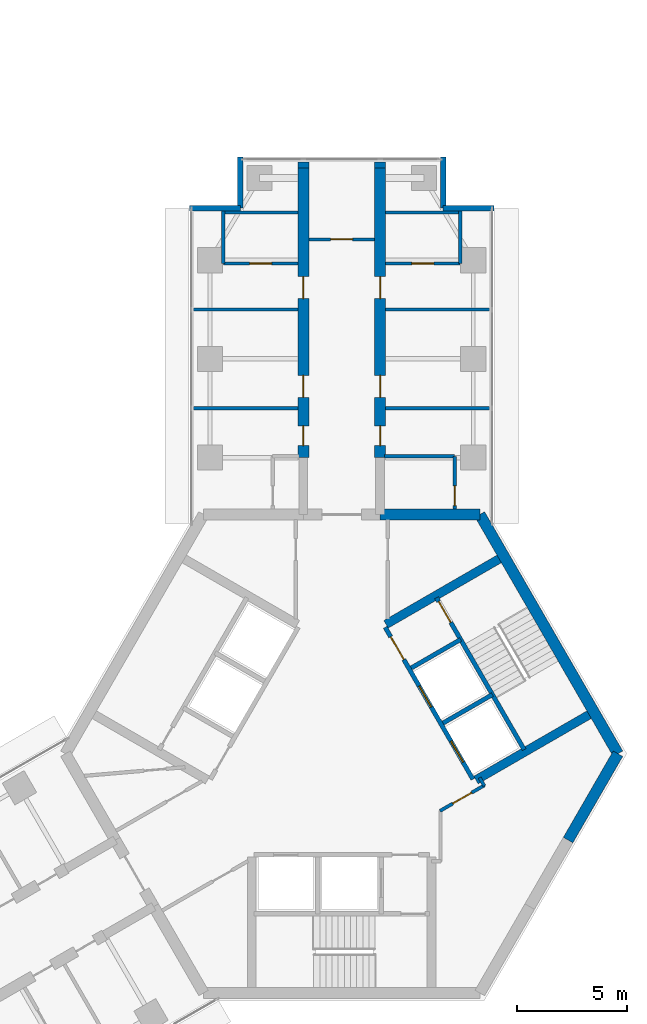
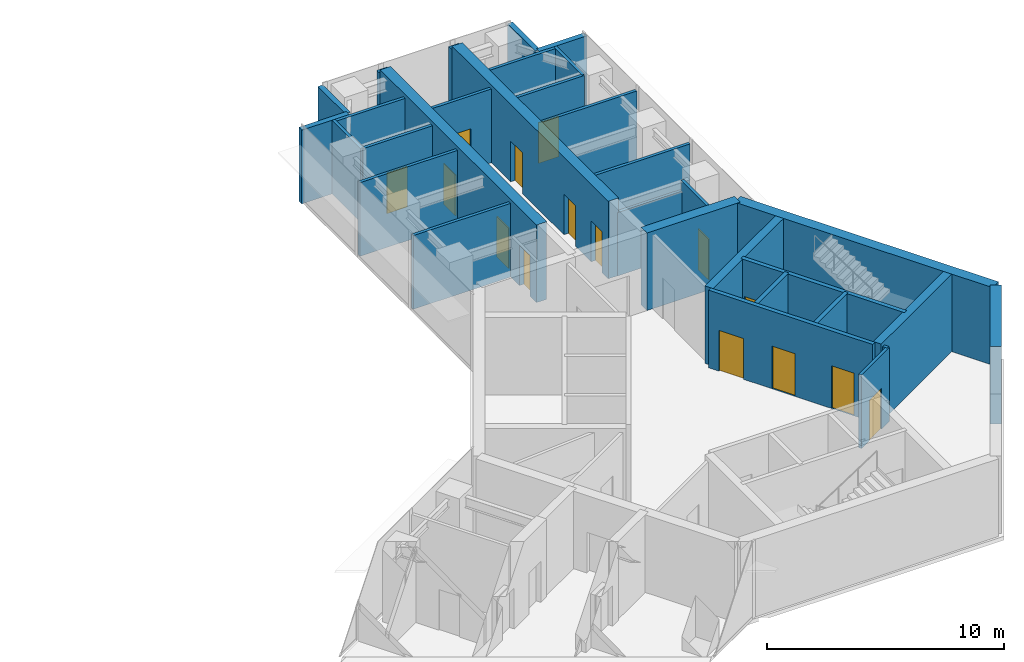
# One storey, part 15 of 17: 32 walls, 15 doors, 15 openings.
"""IFC4 building model written with IfcOpenShell, lengths in metres."""

from ifc_helpers import new_model, si_unit, direction, frame, frame_2d, origin, place, context, subcontext, project, spatial, rectangle, extrude, material, layer, layer_set, type_object, element, fill, save


model = new_model("IFC4")

# Units and contexts
model_context = context("Model", 3, precision=1e-05, world=origin(), true_north=direction((0.0, 1.0)))
body_context = subcontext(model_context, "Body", "Model", "MODEL_VIEW")
ifc_project = project(units=[si_unit("LENGTHUNIT", "METRE"), si_unit("AREAUNIT", "SQUARE_METRE"), si_unit("VOLUMEUNIT", "CUBIC_METRE"), si_unit("PLANEANGLEUNIT", "RADIAN"), si_unit("MASSUNIT", "GRAM", prefix="KILO")], contexts=[model_context])

# Site, building, storey
site_placement = place(None, origin())
site = spatial("IfcSite", under=ifc_project, at=site_placement, CompositionType="ELEMENT")
building_placement = place(site_placement, origin())
building = spatial("IfcBuilding", under=site, at=building_placement, Name="Upepo Twin Towers", CompositionType="ELEMENT")
storey_placement = place(building_placement, frame((0.0, 0.0, 214.5)))
storey = spatial("IfcBuildingStorey", under=building, at=storey_placement, Name="L52", CompositionType="ELEMENT", Elevation=214.5)

# Walls
ifc_material_1 = material(Name="Dense concrete blockwork", Category="masonry")
ifc_layer_1 = layer(ifc_material_1, 0.5)
ifc_layer_set_1 = layer_set([ifc_layer_1], Name="Buttress closer 500, blockwork with fire-stopping to the curtain wall")
wall_type_1 = type_object("IfcWallType", Name="Buttress closer 500, blockwork with fire-stopping to the curtain wall", PredefinedType="PARTITIONING", material=ifc_layer_set_1)
for number, where, z_axis, x_axis, name in (
    (1, (56.75, 8.699951171875, 0.0), (0.0, 0.0, 1.0), (0.0, 1.0, 0.0), "T2 L52 wing A buttress closer L"),
    (2, (60.25, 8.699951171875, 0.0), (0.0, 0.0, 1.0), (0.0, 1.0, 0.0), "T2 L52 wing A buttress closer R"),
):
    element("IfcWall", number, at=place(storey_placement, frame(where, z_axis=z_axis, x_axis=x_axis)), inside=storey, type_object=wall_type_1, Name=name, PredefinedType="PARTITIONING", context=body_context, shape_type="SweptSolid", body=[
        extrude(rectangle(XDim=0.28759765625, YDim=0.5, at=frame_2d((0.143798828125, 0.0))), origin(), (0.0, 0.0, 1.0), 3.800048828125),
    ])

# Wall, openings, doors
ifc_material_2 = material(Name="Concrete C60/75", Category="concrete")
ifc_layer_2 = layer(ifc_material_2, 0.5)
ifc_layer_set_2 = layer_set([ifc_layer_2], Name="Concrete C60/75")
wall_type_2 = type_object("IfcWallType", Name="Buttress wall 500 RC", PredefinedType="SHEAR", material=ifc_layer_set_2)
wall_1_placement = place(storey_placement, frame((56.75, -4.5, 0.0), z_axis=(0.0, 0.0, 1.0), x_axis=(0.0, 1.0, 0.0)))
wall_1 = element("IfcWall", 3, at=wall_1_placement, inside=storey, type_object=wall_type_2, Name="T2 wing A buttress wall L part 2", PredefinedType="SHEAR", context=body_context, shape_type="SweptSolid", body=[
    extrude(rectangle(XDim=13.199951171875, YDim=0.5, at=frame_2d((6.60009765625, 0.0))), origin(), (0.0, 0.0, 1.0), 4.0),
])
opening_1_placement = place(wall_1_placement, frame((0.550048828125, 0.0, 0.0)))
opening_1 = element("IfcOpeningElement", 4, at=opening_1_placement, cuts=wall_1, Name="Opening D11", PredefinedType="OPENING", context=body_context, shape_type="SweptSolid", body=[
    extrude(rectangle(XDim=0.89990234375, YDim=2.10009765625, at=frame_2d((0.449951171875, 1.050048828125))), frame((0.0, 0.260009765625, 0.0), z_axis=(0.0, -1.0, 0.0), x_axis=(1.0, 0.0, 0.0)), (0.0, 0.0, 1.0), 0.52001953125),
])
opening_2_placement = place(wall_1_placement, frame((2.75, 0.0, 0.0)))
opening_2 = element("IfcOpeningElement", 5, at=opening_2_placement, cuts=wall_1, Name="Opening D1", PredefinedType="OPENING", context=body_context, shape_type="SweptSolid", body=[
    extrude(rectangle(XDim=1.0, YDim=2.10009765625, at=frame_2d((0.5, 1.050048828125))), frame((0.0, 0.260009765625, 0.0), z_axis=(0.0, -1.0, 0.0), x_axis=(1.0, 0.0, 0.0)), (0.0, 0.0, 1.0), 0.52001953125),
])
opening_3_placement = place(wall_1_placement, frame((7.25, 0.0, 0.0)))
opening_3 = element("IfcOpeningElement", 6, at=opening_3_placement, cuts=wall_1, Name="Opening D1", PredefinedType="OPENING", context=body_context, shape_type="SweptSolid", body=[
    extrude(rectangle(XDim=1.0, YDim=2.10009765625, at=frame_2d((0.5, 1.050048828125))), frame((0.0, 0.260009765625, 0.0), z_axis=(0.0, -1.0, 0.0), x_axis=(1.0, 0.0, 0.0)), (0.0, 0.0, 1.0), 0.52001953125),
])
ifc_material_3 = material(Name="Timber doorset", Category="wood")
door_type_1 = type_object("IfcDoorType", Name="Room door 1000 FD30", OperationType="SINGLE_SWING_LEFT", PredefinedType="DOOR", material=ifc_material_3)
door_1_placement = place(opening_2_placement, origin())
door_1 = element("IfcDoor", 7, at=door_1_placement, inside=storey, type_object=door_type_1, Name="T2 L52 tutorial room door", OperationType="SINGLE_SWING_LEFT", OverallHeight=2.10009765625, OverallWidth=1.0, PredefinedType="DOOR", context=body_context, shape_type="SweptSolid", body=[
    extrude(rectangle(XDim=1.0, YDim=2.10009765625, at=frame_2d((0.5, 1.050048828125))), frame((0.0, 0.02490234375, 0.0), z_axis=(0.0, -1.0, 0.0), x_axis=(1.0, 0.0, 0.0)), (0.0, 0.0, 1.0), 0.050048828125),
])
fill(opening_2, door_1)
door_2_placement = place(opening_3_placement, origin())
door_2 = element("IfcDoor", 8, at=door_2_placement, inside=storey, type_object=door_type_1, Name="T2 L52 staff office door", OperationType="SINGLE_SWING_RIGHT", OverallHeight=2.10009765625, OverallWidth=1.0, PredefinedType="DOOR", context=body_context, shape_type="SweptSolid", body=[
    extrude(rectangle(XDim=1.0, YDim=2.10009765625, at=frame_2d((0.5, 1.050048828125))), frame((0.0, 0.02490234375, 0.0), z_axis=(0.0, -1.0, 0.0), x_axis=(1.0, 0.0, 0.0)), (0.0, 0.0, 1.0), 0.050048828125),
])
fill(opening_3, door_2)
ifc_material_4 = material(Name="Timber doorset", Category="wood")
door_type_2 = type_object("IfcDoorType", Name="Toilet door 900", OperationType="SINGLE_SWING_LEFT", PredefinedType="DOOR", material=ifc_material_4)
door_3_placement = place(opening_1_placement, origin())
door_3 = element("IfcDoor", 9, at=door_3_placement, inside=storey, type_object=door_type_2, Name="T2 L52 toilets door", OperationType="SINGLE_SWING_LEFT", OverallHeight=2.10009765625, OverallWidth=0.89990234375, PredefinedType="DOOR", context=body_context, shape_type="SweptSolid", body=[
    extrude(rectangle(XDim=0.89990234375, YDim=2.10009765625, at=frame_2d((0.449951171875, 1.050048828125))), frame((0.0, 0.02490234375, 0.0), z_axis=(0.0, -1.0, 0.0), x_axis=(1.0, 0.0, 0.0)), (0.0, 0.0, 1.0), 0.050048828125),
])
fill(opening_1, door_3)

wall_2_placement = place(storey_placement, frame((60.25, -4.5, 0.0), z_axis=(0.0, 0.0, 1.0), x_axis=(0.0, 1.0, 0.0)))
wall_2 = element("IfcWall", 10, at=wall_2_placement, inside=storey, type_object=wall_type_2, Name="T2 wing A buttress wall R part 2", PredefinedType="SHEAR", context=body_context, shape_type="SweptSolid", body=[
    extrude(rectangle(XDim=13.199951171875, YDim=0.5, at=frame_2d((6.60009765625, 0.0))), origin(), (0.0, 0.0, 1.0), 4.0),
])
opening_4_placement = place(wall_2_placement, frame((0.550048828125, 0.0, 0.0)))
opening_4 = element("IfcOpeningElement", 11, at=opening_4_placement, cuts=wall_2, Name="Opening D11", PredefinedType="OPENING", context=body_context, shape_type="SweptSolid", body=[
    extrude(rectangle(XDim=0.89990234375, YDim=2.10009765625, at=frame_2d((0.449951171875, 1.050048828125))), frame((0.0, 0.260009765625, 0.0), z_axis=(0.0, -1.0, 0.0), x_axis=(1.0, 0.0, 0.0)), (0.0, 0.0, 1.0), 0.52001953125),
])
opening_5_placement = place(wall_2_placement, frame((2.75, 0.0, 0.0)))
opening_5 = element("IfcOpeningElement", 12, at=opening_5_placement, cuts=wall_2, Name="Opening D1", PredefinedType="OPENING", context=body_context, shape_type="SweptSolid", body=[
    extrude(rectangle(XDim=1.0, YDim=2.10009765625, at=frame_2d((0.5, 1.050048828125))), frame((0.0, 0.260009765625, 0.0), z_axis=(0.0, -1.0, 0.0), x_axis=(1.0, 0.0, 0.0)), (0.0, 0.0, 1.0), 0.52001953125),
])
opening_6_placement = place(wall_2_placement, frame((7.25, 0.0, 0.0)))
opening_6 = element("IfcOpeningElement", 13, at=opening_6_placement, cuts=wall_2, Name="Opening D1", PredefinedType="OPENING", context=body_context, shape_type="SweptSolid", body=[
    extrude(rectangle(XDim=1.0, YDim=2.10009765625, at=frame_2d((0.5, 1.050048828125))), frame((0.0, 0.260009765625, 0.0), z_axis=(0.0, -1.0, 0.0), x_axis=(1.0, 0.0, 0.0)), (0.0, 0.0, 1.0), 0.52001953125),
])
door_4_placement = place(opening_5_placement, origin())
door_4 = element("IfcDoor", 14, at=door_4_placement, inside=storey, type_object=door_type_1, Name="T2 L52 seminar room door", OperationType="SINGLE_SWING_LEFT", OverallHeight=2.10009765625, OverallWidth=1.0, PredefinedType="DOOR", context=body_context, shape_type="SweptSolid", body=[
    extrude(rectangle(XDim=1.0, YDim=2.10009765625, at=frame_2d((0.5, 1.050048828125))), frame((0.0, 0.02490234375, 0.0), z_axis=(0.0, -1.0, 0.0), x_axis=(1.0, 0.0, 0.0)), (0.0, 0.0, 1.0), 0.050048828125),
])
fill(opening_5, door_4)
door_5_placement = place(opening_6_placement, origin())
door_5 = element("IfcDoor", 15, at=door_5_placement, inside=storey, type_object=door_type_1, Name="T2 L52 tutorial room door", OperationType="SINGLE_SWING_RIGHT", OverallHeight=2.10009765625, OverallWidth=1.0, PredefinedType="DOOR", context=body_context, shape_type="SweptSolid", body=[
    extrude(rectangle(XDim=1.0, YDim=2.10009765625, at=frame_2d((0.5, 1.050048828125))), frame((0.0, 0.02490234375, 0.0), z_axis=(0.0, -1.0, 0.0), x_axis=(1.0, 0.0, 0.0)), (0.0, 0.0, 1.0), 0.050048828125),
])
fill(opening_6, door_5)
door_6_placement = place(opening_4_placement, origin())
door_6 = element("IfcDoor", 16, at=door_6_placement, inside=storey, type_object=door_type_2, Name="T2 L52 accessible wc door", OperationType="SINGLE_SWING_LEFT", OverallHeight=2.10009765625, OverallWidth=0.89990234375, PredefinedType="DOOR", context=body_context, shape_type="SweptSolid", body=[
    extrude(rectangle(XDim=0.89990234375, YDim=2.10009765625, at=frame_2d((0.449951171875, 1.050048828125))), frame((0.0, 0.02490234375, 0.0), z_axis=(0.0, -1.0, 0.0), x_axis=(1.0, 0.0, 0.0)), (0.0, 0.0, 1.0), 0.050048828125),
])
fill(opening_4, door_6)

# Walls
ifc_material_5 = material(Name="Concrete C60/75", Category="concrete")
ifc_layer_3 = layer(ifc_material_5, 0.5)
ifc_layer_set_3 = layer_set([ifc_layer_3], Name="Concrete C60/75")
wall_type_3 = type_object("IfcWallType", Name="Core wall 500 RC", PredefinedType="SHEAR", material=ifc_layer_set_3)
wall_3_placement = place(storey_placement, frame((64.7978515625, -7.091552734375, 0.0), z_axis=(0.0, 0.0, 1.0), x_axis=(-1.0, 0.0, 0.0)))
element("IfcWall", 17, at=wall_3_placement, inside=storey, type_object=wall_type_3, Name="T2 core wall 000 R", PredefinedType="SHEAR", context=body_context, shape_type="SweptSolid", body=[
    extrude(rectangle(XDim=4.5478515625, YDim=0.5, at=frame_2d((2.27392578125, 0.0))), origin(), (0.0, 0.0, 1.0), 4.0),
])
wall_4_placement = place(storey_placement, frame((68.82177734375, -21.938720703125, 0.0), z_axis=(0.0, 0.0, 1.0), x_axis=(0.500024481964, 0.866011268655, 0.0)))
element("IfcWall", 18, at=wall_4_placement, inside=storey, type_object=wall_type_3, Name="T2 core wall 240 L", PredefinedType="SHEAR", context=body_context, shape_type="SweptSolid", body=[
    extrude(rectangle(XDim=4.548095703125, YDim=0.5, at=frame_2d((2.27392578125, 0.0))), origin(), (0.0, 0.0, 1.0), 4.0),
])
wall_5_placement = place(storey_placement, frame((71.095947265625, -18.0, 0.0), z_axis=(0.0, 0.0, 1.0), x_axis=(-0.500005998175, 0.866021940709, 0.0)))
element("IfcWall", 19, at=wall_5_placement, inside=storey, type_object=wall_type_3, Name="T2 core wall 300", PredefinedType="SHEAR", context=body_context, shape_type="SweptSolid", body=[
    extrude(rectangle(XDim=12.595947265625, YDim=0.5, at=frame_2d((6.2978515625, 0.0))), origin(), (0.0, 0.0, 1.0), 4.0),
])
ifc_material_6 = material(Name="Blockwork with anodised aluminium cladding", Category="masonry")
ifc_layer_4 = layer(ifc_material_6, 0.25)
ifc_layer_set_4 = layer_set([ifc_layer_4], Name="Notch cladding wall 250, pale metal")
wall_type_4 = type_object("IfcWallType", Name="Notch cladding wall 250, pale metal", PredefinedType="STANDARD", material=ifc_layer_set_4)
for number, where, z_axis, x_axis, name in (
    (20, (51.550048828125, 6.875, 0.0), (0.0, 0.0, 1.0), (1.0, 0.0, 0.0), "T2 L52 wing A notch wall L1"),
    (21, (53.875, 6.875, 0.0), (0.0, 0.0, 1.0), (0.0, 1.0, 0.0), "T2 L52 wing A notch wall L2"),
    (22, (65.449951171875, 6.875, 0.0), (0.0, 0.0, 1.0), (-1.0, 0.0, 0.0), "T2 L52 wing A notch wall R1"),
    (23, (63.125, 6.875, 0.0), (0.0, 0.0, 1.0), (0.0, 1.0, 0.0), "T2 L52 wing A notch wall R2"),
):
    element("IfcWall", number, at=place(storey_placement, frame(where, z_axis=z_axis, x_axis=x_axis)), inside=storey, type_object=wall_type_4, Name=name, PredefinedType="STANDARD", context=body_context, shape_type="SweptSolid", body=[
        extrude(rectangle(XDim=2.324951171875, YDim=0.25, at=frame_2d((1.16259765625, 0.0))), origin(), (0.0, 0.0, 1.0), 3.800048828125),
    ])

# Wall, openings, doors
ifc_material_7 = material(Name="Concrete C40/50", Category="concrete")
ifc_layer_5 = layer(ifc_material_7, 0.199951171875)
ifc_layer_set_5 = layer_set([ifc_layer_5], Name="Concrete C40/50")
wall_type_5 = type_object("IfcWallType", Name="Shaft wall 200 RC", PredefinedType="SHEAR", material=ifc_layer_set_5)
wall_6_placement = place(storey_placement, frame((64.483642578125, -19.1640625, 0.0), z_axis=(0.0, 0.0, 1.0), x_axis=(-0.49999894854, 0.866026010844, 0.0)))
wall_6 = element("IfcWall", 24, at=wall_6_placement, inside=storey, type_object=wall_type_5, Name="T2 core W300 front wall", PredefinedType="SHEAR", context=body_context, shape_type="SweptSolid", body=[
    extrude(rectangle(XDim=8.0, YDim=0.199951171875, at=frame_2d((4.0, 0.0))), origin(), (0.0, 0.0, 1.0), 4.0),
])
opening_7_placement = place(wall_6_placement, frame((6.300048828125, 0.0, 0.0)))
opening_7 = element("IfcOpeningElement", 25, at=opening_7_placement, cuts=wall_6, Name="Opening D4", PredefinedType="OPENING", context=body_context, shape_type="SweptSolid", body=[
    extrude(rectangle(XDim=1.199951171875, YDim=2.10009765625, at=frame_2d((0.60009765625, 1.050048828125))), frame((0.0, 0.10986328125, 0.0), z_axis=(0.0, -1.0, 0.0), x_axis=(1.0, 0.0, 0.0)), (0.0, 0.0, 1.0), 0.219970703125),
])
opening_8_placement = place(wall_6_placement, frame((0.89990234375, 0.0, 0.0)))
opening_8 = element("IfcOpeningElement", 26, at=opening_8_placement, cuts=wall_6, Name="Opening LD1", PredefinedType="OPENING", context=body_context, shape_type="SweptSolid", body=[
    extrude(rectangle(XDim=1.10009765625, YDim=2.199951171875, at=frame_2d((0.550048828125, 1.10009765625))), frame((0.0, 0.10986328125, 0.0), z_axis=(0.0, -1.0, 0.0), x_axis=(1.0, 0.0, 0.0)), (0.0, 0.0, 1.0), 0.219970703125),
])
opening_9_placement = place(wall_6_placement, frame((3.800048828125, 0.0, 0.0)))
opening_9 = element("IfcOpeningElement", 27, at=opening_9_placement, cuts=wall_6, Name="Opening LD1", PredefinedType="OPENING", context=body_context, shape_type="SweptSolid", body=[
    extrude(rectangle(XDim=1.10009765625, YDim=2.199951171875, at=frame_2d((0.550048828125, 1.10009765625))), frame((0.0, 0.10986328125, 0.0), z_axis=(0.0, -1.0, 0.0), x_axis=(1.0, 0.0, 0.0)), (0.0, 0.0, 1.0), 0.219970703125),
])
ifc_material_8 = material(Name="Steel doorset", Category="steel")
door_type_3 = type_object("IfcDoorType", Name="Lift landing door 1100", OperationType="DOUBLE_DOOR_SLIDING", PredefinedType="DOOR", material=ifc_material_8)
door_7_placement = place(opening_8_placement, origin())
door_7 = element("IfcDoor", 28, at=door_7_placement, inside=storey, type_object=door_type_3, Name="T2 L52 lift UL1 landing door", OperationType="DOUBLE_DOOR_SLIDING", OverallHeight=2.199951171875, OverallWidth=1.10009765625, PredefinedType="DOOR", context=body_context, shape_type="SweptSolid", body=[
    extrude(rectangle(XDim=1.10009765625, YDim=2.199951171875, at=frame_2d((0.550048828125, 1.10009765625))), frame((0.0, 0.02490234375, 0.0), z_axis=(0.0, -1.0, 0.0), x_axis=(1.0, 0.0, 0.0)), (0.0, 0.0, 1.0), 0.050048828125),
])
fill(opening_8, door_7)
door_8_placement = place(opening_9_placement, origin())
door_8 = element("IfcDoor", 29, at=door_8_placement, inside=storey, type_object=door_type_3, Name="T2 L52 lift UL2 landing door", OperationType="DOUBLE_DOOR_SLIDING", OverallHeight=2.199951171875, OverallWidth=1.10009765625, PredefinedType="DOOR", context=body_context, shape_type="SweptSolid", body=[
    extrude(rectangle(XDim=1.10009765625, YDim=2.199951171875, at=frame_2d((0.550048828125, 1.10009765625))), frame((0.0, 0.02490234375, 0.0), z_axis=(0.0, -1.0, 0.0), x_axis=(1.0, 0.0, 0.0)), (0.0, 0.0, 1.0), 0.050048828125),
])
fill(opening_9, door_8)
ifc_material_9 = material(Name="Timber doorset", Category="wood")
door_type_4 = type_object("IfcDoorType", Name="Lobby door 1200 FD60", OperationType="SINGLE_SWING_LEFT", PredefinedType="DOOR", material=ifc_material_9)
door_9_placement = place(opening_7_placement, origin())
door_9 = element("IfcDoor", 30, at=door_9_placement, inside=storey, type_object=door_type_4, Name="T2 L52 W300 lobby door", OperationType="SINGLE_SWING_RIGHT", OverallHeight=2.10009765625, OverallWidth=1.199951171875, PredefinedType="DOOR", context=body_context, shape_type="SweptSolid", body=[
    extrude(rectangle(XDim=1.199951171875, YDim=2.10009765625, at=frame_2d((0.60009765625, 1.050048828125))), frame((0.0, 0.02490234375, 0.0), z_axis=(0.0, -1.0, 0.0), x_axis=(1.0, 0.0, 0.0)), (0.0, 0.0, 1.0), 0.050048828125),
])
fill(opening_7, door_9)

# Walls
wall_7_placement = place(storey_placement, frame((63.120361328125, -16.6025390625, 0.0), z_axis=(0.0, 0.0, 1.0), x_axis=(0.866062058628, 0.499936506574, 0.0)))
element("IfcWall", 31, at=wall_7_placement, inside=storey, type_object=wall_type_5, Name="T2 core W300 shaft divider", PredefinedType="SHEAR", context=body_context, shape_type="SweptSolid", body=[
    extrude(rectangle(XDim=2.599853515625, YDim=0.199951171875, at=frame_2d((1.2998046875, 0.0))), origin(), (0.0, 0.0, 1.0), 4.0),
])
wall_8_placement = place(storey_placement, frame((61.67041015625, -14.091064453125, 0.0), z_axis=(0.0, 0.0, 1.0), x_axis=(0.86603858612, 0.49997716683, 0.0)))
element("IfcWall", 32, at=wall_8_placement, inside=storey, type_object=wall_type_5, Name="T2 core W300 lobby wall", PredefinedType="SHEAR", context=body_context, shape_type="SweptSolid", body=[
    extrude(rectangle(XDim=2.599609375, YDim=0.199951171875, at=frame_2d((1.2998046875, 0.0))), origin(), (0.0, 0.0, 1.0), 4.0),
])

# Wall, opening, door
wall_9_placement = place(storey_placement, frame((66.822021484375, -17.814208984375, 0.0), z_axis=(0.0, 0.0, 1.0), x_axis=(-0.49999894854, 0.866026010844, 0.0)))
wall_9 = element("IfcWall", 33, at=wall_9_placement, inside=storey, type_object=wall_type_5, Name="T2 core W300 stair wall", PredefinedType="SHEAR", context=body_context, shape_type="SweptSolid", body=[
    extrude(rectangle(XDim=8.0, YDim=0.199951171875, at=frame_2d((4.0, 0.0))), origin(), (0.0, 0.0, 1.0), 4.0),
])
opening_10_placement = place(wall_9_placement, frame((6.699951171875, 0.0, 0.0)))
opening_10 = element("IfcOpeningElement", 34, at=opening_10_placement, cuts=wall_9, Name="Opening D3", PredefinedType="OPENING", context=body_context, shape_type="SweptSolid", body=[
    extrude(rectangle(XDim=1.10009765625, YDim=2.10009765625, at=frame_2d((0.550048828125, 1.050048828125))), frame((0.0, 0.10986328125, 0.0), z_axis=(0.0, -1.0, 0.0), x_axis=(1.0, 0.0, 0.0)), (0.0, 0.0, 1.0), 0.219970703125),
])
ifc_material_10 = material(Name="Timber doorset", Category="wood")
door_type_5 = type_object("IfcDoorType", Name="Stair door 1100 FD60", OperationType="SINGLE_SWING_LEFT", PredefinedType="DOOR", material=ifc_material_10)
door_10_placement = place(opening_10_placement, origin())
door_10 = element("IfcDoor", 35, at=door_10_placement, inside=storey, type_object=door_type_5, Name="T2 L52 stair door", OperationType="SINGLE_SWING_RIGHT", OverallHeight=2.10009765625, OverallWidth=1.10009765625, PredefinedType="DOOR", context=body_context, shape_type="SweptSolid", body=[
    extrude(rectangle(XDim=1.10009765625, YDim=2.10009765625, at=frame_2d((0.550048828125, 1.050048828125))), frame((0.0, 0.02490234375, 0.0), z_axis=(0.0, -1.0, 0.0), x_axis=(1.0, 0.0, 0.0)), (0.0, 0.0, 1.0), 0.050048828125),
])
fill(opening_10, door_10)

# Walls
ifc_material_11 = material(Name="Concrete C40/50", Category="concrete")
ifc_layer_6 = layer(ifc_material_11, 0.39990234375)
ifc_layer_set_6 = layer_set([ifc_layer_6], Name="Concrete C40/50")
wall_type_6 = type_object("IfcWallType", Name="Shaft wall 400 RC", PredefinedType="SHEAR", material=ifc_layer_set_6)
wall_10_placement = place(storey_placement, frame((60.520263671875, -12.099365234375, 0.0), z_axis=(0.0, 0.0, 1.0), x_axis=(0.86602319114, 0.500003832394, 0.0)))
element("IfcWall", 36, at=wall_10_placement, inside=storey, type_object=wall_type_6, Name="T2 core W300 side wall N", PredefinedType="SHEAR", context=body_context, shape_type="SweptSolid", body=[
    extrude(rectangle(XDim=5.95849609375, YDim=0.39990234375, at=frame_2d((2.979248046875, 0.0))), origin(), (0.0, 0.0, 1.0), 4.0),
])
wall_11_placement = place(storey_placement, frame((64.620361328125, -19.20068359375, 0.0), z_axis=(0.0, 0.0, 1.0), x_axis=(0.866012946976, 0.500021575205, 0.0)))
element("IfcWall", 37, at=wall_11_placement, inside=storey, type_object=wall_type_6, Name="T2 core W300 side wall S", PredefinedType="SHEAR", context=body_context, shape_type="SweptSolid", body=[
    extrude(rectangle(XDim=5.958251953125, YDim=0.39990234375, at=frame_2d((2.97900390625, 0.0))), origin(), (0.0, 0.0, 1.0), 4.0),
])
ifc_material_12 = material(Name="Gypsum board on steel studs", Category="steel")
ifc_layer_7 = layer(ifc_material_12, 0.14990234375)
ifc_layer_set_7 = layer_set([ifc_layer_7], Name="Teaching partition 150 acoustic")
wall_type_7 = type_object("IfcWallType", Name="Teaching partition 150 acoustic", PredefinedType="PARTITIONING", material=ifc_layer_set_7)
for number, where, z_axis, x_axis, name in (
    (38, (56.5, -2.25, 0.0), (0.0, 0.0, 1.0), (-1.0, 0.0, 0.0), "T2 partition AL at 15.75"),
    (39, (56.5, 2.25, 0.0), (0.0, 0.0, 1.0), (-1.0, 0.0, 0.0), "T2 partition AL at 20.25"),
):
    element("IfcWall", number, at=place(storey_placement, frame(where, z_axis=z_axis, x_axis=x_axis)), inside=storey, type_object=wall_type_7, Name=name, PredefinedType="PARTITIONING", context=body_context, shape_type="SweptSolid", body=[
        extrude(rectangle(XDim=4.75, YDim=0.14990234375, at=frame_2d((2.375, 0.0))), origin(), (0.0, 0.0, 1.0), 3.800048828125),
    ])
wall_12_placement = place(storey_placement, frame((53.10009765625, 4.35009765625, 0.0), z_axis=(0.0, 0.0, 1.0), x_axis=(0.0, 1.0, 0.0)))
element("IfcWall", 40, at=wall_12_placement, inside=storey, type_object=wall_type_7, Name="T2 inner room partition AL at 22.35", PredefinedType="PARTITIONING", context=body_context, shape_type="SweptSolid", body=[
    extrude(rectangle(XDim=2.39990234375, YDim=0.14990234375, at=frame_2d((1.199951171875, 0.0))), origin(), (0.0, 0.0, 1.0), 3.800048828125),
])

# Wall, opening, door
wall_13_placement = place(storey_placement, frame((56.5, 4.35009765625, 0.0), z_axis=(0.0, 0.0, 1.0), x_axis=(-1.0, 0.0, 0.0)))
wall_13 = element("IfcWall", 41, at=wall_13_placement, inside=storey, type_object=wall_type_7, Name="T2 inner room partition AL end at 22.35", PredefinedType="PARTITIONING", context=body_context, shape_type="SweptSolid", body=[
    extrude(rectangle(XDim=3.39990234375, YDim=0.14990234375, at=frame_2d((1.699951171875, 0.0))), origin(), (0.0, 0.0, 1.0), 3.800048828125),
])
opening_11_placement = place(wall_13_placement, frame((1.199951171875, 0.0, 0.0)))
opening_11 = element("IfcOpeningElement", 42, at=opening_11_placement, cuts=wall_13, Name="Opening D1", PredefinedType="OPENING", context=body_context, shape_type="SweptSolid", body=[
    extrude(rectangle(XDim=1.0, YDim=2.10009765625, at=frame_2d((0.5, 1.050048828125))), frame((0.0, 0.0849609375, 0.0), z_axis=(0.0, -1.0, 0.0), x_axis=(1.0, 0.0, 0.0)), (0.0, 0.0, 1.0), 0.169921875),
])
door_11_placement = place(opening_11_placement, origin())
door_11 = element("IfcDoor", 43, at=door_11_placement, inside=storey, type_object=door_type_1, Name="T2 L52 inner room door", OperationType="SINGLE_SWING_LEFT", OverallHeight=2.10009765625, OverallWidth=1.0, PredefinedType="DOOR", context=body_context, shape_type="SweptSolid", body=[
    extrude(rectangle(XDim=1.0, YDim=2.10009765625, at=frame_2d((0.5, 1.050048828125))), frame((0.0, 0.02490234375, 0.0), z_axis=(0.0, -1.0, 0.0), x_axis=(1.0, 0.0, 0.0)), (0.0, 0.0, 1.0), 0.050048828125),
])
fill(opening_11, door_11)

# Walls
wall_14_placement = place(storey_placement, frame((56.5, 6.675048828125, 0.0), z_axis=(0.0, 0.0, 1.0), x_axis=(-1.0, 0.0, 0.0)))
element("IfcWall", 44, at=wall_14_placement, inside=storey, type_object=wall_type_7, Name="T2 inner room partition AL end at 24.75", PredefinedType="PARTITIONING", context=body_context, shape_type="SweptSolid", body=[
    extrude(rectangle(XDim=3.39990234375, YDim=0.14990234375, at=frame_2d((1.699951171875, 0.0))), origin(), (0.0, 0.0, 1.0), 3.800048828125),
])
for number, where, z_axis, x_axis, name in (
    (45, (60.5, -2.25, 0.0), (0.0, 0.0, 1.0), (1.0, 0.0, 0.0), "T2 partition AR at 15.75"),
    (46, (60.5, 2.25, 0.0), (0.0, 0.0, 1.0), (1.0, 0.0, 0.0), "T2 partition AR at 20.25"),
):
    element("IfcWall", number, at=place(storey_placement, frame(where, z_axis=z_axis, x_axis=x_axis)), inside=storey, type_object=wall_type_7, Name=name, PredefinedType="PARTITIONING", context=body_context, shape_type="SweptSolid", body=[
        extrude(rectangle(XDim=4.75, YDim=0.14990234375, at=frame_2d((2.375, 0.0))), origin(), (0.0, 0.0, 1.0), 3.800048828125),
    ])
wall_15_placement = place(storey_placement, frame((63.89990234375, 4.35009765625, 0.0), z_axis=(0.0, 0.0, 1.0), x_axis=(0.0, 1.0, 0.0)))
element("IfcWall", 47, at=wall_15_placement, inside=storey, type_object=wall_type_7, Name="T2 inner room partition AR at 22.35", PredefinedType="PARTITIONING", context=body_context, shape_type="SweptSolid", body=[
    extrude(rectangle(XDim=2.39990234375, YDim=0.14990234375, at=frame_2d((1.199951171875, 0.0))), origin(), (0.0, 0.0, 1.0), 3.800048828125),
])

# Wall, opening, door
wall_16_placement = place(storey_placement, frame((60.5, 4.35009765625, 0.0), z_axis=(0.0, 0.0, 1.0), x_axis=(1.0, 0.0, 0.0)))
wall_16 = element("IfcWall", 48, at=wall_16_placement, inside=storey, type_object=wall_type_7, Name="T2 inner room partition AR end at 22.35", PredefinedType="PARTITIONING", context=body_context, shape_type="SweptSolid", body=[
    extrude(rectangle(XDim=3.39990234375, YDim=0.14990234375, at=frame_2d((1.699951171875, 0.0))), origin(), (0.0, 0.0, 1.0), 3.800048828125),
])
opening_12_placement = place(wall_16_placement, frame((1.199951171875, 0.0, 0.0)))
opening_12 = element("IfcOpeningElement", 49, at=opening_12_placement, cuts=wall_16, Name="Opening D1", PredefinedType="OPENING", context=body_context, shape_type="SweptSolid", body=[
    extrude(rectangle(XDim=1.0, YDim=2.10009765625, at=frame_2d((0.5, 1.050048828125))), frame((0.0, 0.0849609375, 0.0), z_axis=(0.0, -1.0, 0.0), x_axis=(1.0, 0.0, 0.0)), (0.0, 0.0, 1.0), 0.169921875),
])
door_12_placement = place(opening_12_placement, origin())
door_12 = element("IfcDoor", 50, at=door_12_placement, inside=storey, type_object=door_type_1, Name="T2 L52 inner room door", OperationType="SINGLE_SWING_LEFT", OverallHeight=2.10009765625, OverallWidth=1.0, PredefinedType="DOOR", context=body_context, shape_type="SweptSolid", body=[
    extrude(rectangle(XDim=1.0, YDim=2.10009765625, at=frame_2d((0.5, 1.050048828125))), frame((0.0, 0.02490234375, 0.0), z_axis=(0.0, -1.0, 0.0), x_axis=(1.0, 0.0, 0.0)), (0.0, 0.0, 1.0), 0.050048828125),
])
fill(opening_12, door_12)

# Wall
wall_17_placement = place(storey_placement, frame((60.5, 6.675048828125, 0.0), z_axis=(0.0, 0.0, 1.0), x_axis=(1.0, 0.0, 0.0)))
element("IfcWall", 51, at=wall_17_placement, inside=storey, type_object=wall_type_7, Name="T2 inner room partition AR end at 24.75", PredefinedType="PARTITIONING", context=body_context, shape_type="SweptSolid", body=[
    extrude(rectangle(XDim=3.39990234375, YDim=0.14990234375, at=frame_2d((1.699951171875, 0.0))), origin(), (0.0, 0.0, 1.0), 3.800048828125),
])

# Wall, opening, door
wall_18_placement = place(storey_placement, frame((63.64990234375, -6.842041015625, 0.0), z_axis=(0.0, 0.0, 1.0), x_axis=(0.0, 1.0, 0.0)))
wall_18 = element("IfcWall", 52, at=wall_18_placement, inside=storey, type_object=wall_type_7, Name="T2 WC bay partition AR at 11.16", PredefinedType="PARTITIONING", context=body_context, shape_type="SweptSolid", body=[
    extrude(rectangle(XDim=2.400146484375, YDim=0.14990234375, at=frame_2d((1.2001953125, 0.0))), origin(), (0.0, 0.0, 1.0), 3.800048828125),
])
opening_13_placement = place(wall_18_placement, frame((0.14990234375, 0.0, 0.0)))
opening_13 = element("IfcOpeningElement", 53, at=opening_13_placement, cuts=wall_18, Name="Opening D14", PredefinedType="OPENING", context=body_context, shape_type="SweptSolid", body=[
    extrude(rectangle(XDim=0.89990234375, YDim=2.10009765625, at=frame_2d((0.449951171875, 1.050048828125))), frame((0.0, 0.0849609375, 0.0), z_axis=(0.0, -1.0, 0.0), x_axis=(1.0, 0.0, 0.0)), (0.0, 0.0, 1.0), 0.169921875),
])
ifc_material_13 = material(Name="Timber doorset", Category="wood")
door_type_6 = type_object("IfcDoorType", Name="Office door 900 FD30", OperationType="SINGLE_SWING_LEFT", PredefinedType="DOOR", material=ifc_material_13)
door_13_placement = place(opening_13_placement, origin())
door_13 = element("IfcDoor", 54, at=door_13_placement, inside=storey, type_object=door_type_6, Name="T2 L52 WC bay inner room door", OperationType="SINGLE_SWING_LEFT", OverallHeight=2.10009765625, OverallWidth=0.89990234375, PredefinedType="DOOR", context=body_context, shape_type="SweptSolid", body=[
    extrude(rectangle(XDim=0.89990234375, YDim=2.10009765625, at=frame_2d((0.449951171875, 1.050048828125))), frame((0.0, 0.02490234375, 0.0), z_axis=(0.0, -1.0, 0.0), x_axis=(1.0, 0.0, 0.0)), (0.0, 0.0, 1.0), 0.050048828125),
])
fill(opening_13, door_13)

# Walls
wall_19_placement = place(storey_placement, frame((60.449951171875, -4.44189453125, 0.0), z_axis=(0.0, 0.0, 1.0), x_axis=(1.0, 0.0, 0.0)))
element("IfcWall", 55, at=wall_19_placement, inside=storey, type_object=wall_type_7, Name="T2 WC bay partition AR end at 13.56", PredefinedType="PARTITIONING", context=body_context, shape_type="SweptSolid", body=[
    extrude(rectangle(XDim=3.199951171875, YDim=0.14990234375, at=frame_2d((1.60009765625, 0.0))), origin(), (0.0, 0.0, 1.0), 3.266845703125),
])
wall_20_placement = place(storey_placement, frame((64.78857421875, -19.092041015625, 0.0), z_axis=(0.0, 0.0, 1.0), x_axis=(0.499804398801, -0.866138304741, 0.0)))
element("IfcWall", 56, at=wall_20_placement, inside=storey, type_object=wall_type_7, Name="T2 core room partition 6", PredefinedType="PARTITIONING", context=body_context, shape_type="SweptSolid", body=[
    extrude(rectangle(XDim=0.429931640625, YDim=0.14990234375, at=frame_2d((0.21484375, 0.0))), origin(), (0.0, 0.0, 1.0), 3.800048828125),
])

# Wall, opening, door
wall_21_placement = place(storey_placement, frame((65.0107421875, -19.43701171875, 0.0), z_axis=(0.0, 0.0, 1.0), x_axis=(-0.865982457891, -0.500074377092, 0.0)))
wall_21 = element("IfcWall", 57, at=wall_21_placement, inside=storey, type_object=wall_type_7, Name="T2 core room partition 7", PredefinedType="PARTITIONING", context=body_context, shape_type="SweptSolid", body=[
    extrude(rectangle(XDim=2.342041015625, YDim=0.14990234375, at=frame_2d((1.1708984375, 0.0))), origin(), (0.0, 0.0, 1.0), 3.800048828125),
])
opening_14_placement = place(wall_21_placement, frame((0.6708984375, 0.0, 0.0)))
opening_14 = element("IfcOpeningElement", 58, at=opening_14_placement, cuts=wall_21, Name="Opening D1", PredefinedType="OPENING", context=body_context, shape_type="SweptSolid", body=[
    extrude(rectangle(XDim=1.0, YDim=2.10009765625, at=frame_2d((0.5, 1.050048828125))), frame((0.0, 0.0849609375, 0.0), z_axis=(0.0, -1.0, 0.0), x_axis=(1.0, 0.0, 0.0)), (0.0, 0.0, 1.0), 0.169921875),
])
door_14_placement = place(opening_14_placement, origin())
door_14 = element("IfcDoor", 59, at=door_14_placement, inside=storey, type_object=door_type_1, Name="T2 L52 core room door K4", OperationType="SINGLE_SWING_RIGHT", OverallHeight=2.10009765625, OverallWidth=1.0, PredefinedType="DOOR", context=body_context, shape_type="SweptSolid", body=[
    extrude(rectangle(XDim=1.0, YDim=2.10009765625, at=frame_2d((0.5, 1.050048828125))), frame((0.0, 0.02490234375, 0.0), z_axis=(0.0, -1.0, 0.0), x_axis=(1.0, 0.0, 0.0)), (0.0, 0.0, 1.0), 0.050048828125),
])
fill(opening_14, door_14)

wall_22_placement = place(storey_placement, frame((60.0, 5.449951171875, 0.0), z_axis=(0.0, 0.0, 1.0), x_axis=(-1.0, 0.0, 0.0)))
wall_22 = element("IfcWall", 60, at=wall_22_placement, inside=storey, type_object=wall_type_7, Name="T2 corridor end partition A at 23.45", PredefinedType="PARTITIONING", context=body_context, shape_type="SweptSolid", body=[
    extrude(rectangle(XDim=3.0, YDim=0.14990234375, at=frame_2d((1.5, 0.0))), origin(), (0.0, 0.0, 1.0), 3.800048828125),
])
opening_15_placement = place(wall_22_placement, frame((1.0, 0.0, 0.0)))
opening_15 = element("IfcOpeningElement", 61, at=opening_15_placement, cuts=wall_22, Name="Opening D1", PredefinedType="OPENING", context=body_context, shape_type="SweptSolid", body=[
    extrude(rectangle(XDim=1.0, YDim=2.10009765625, at=frame_2d((0.5, 1.050048828125))), frame((0.0, 0.0849609375, 0.0), z_axis=(0.0, -1.0, 0.0), x_axis=(1.0, 0.0, 0.0)), (0.0, 0.0, 1.0), 0.169921875),
])
door_15_placement = place(opening_15_placement, origin())
door_15 = element("IfcDoor", 62, at=door_15_placement, inside=storey, type_object=door_type_1, Name="T2 L52 breakout study room door", OperationType="SINGLE_SWING_LEFT", OverallHeight=2.10009765625, OverallWidth=1.0, PredefinedType="DOOR", context=body_context, shape_type="SweptSolid", body=[
    extrude(rectangle(XDim=1.0, YDim=2.10009765625, at=frame_2d((0.5, 1.050048828125))), frame((0.0, 0.02490234375, 0.0), z_axis=(0.0, -1.0, 0.0), x_axis=(1.0, 0.0, 0.0)), (0.0, 0.0, 1.0), 0.050048828125),
])
fill(opening_15, door_15)

save(model, "model.ifc")
